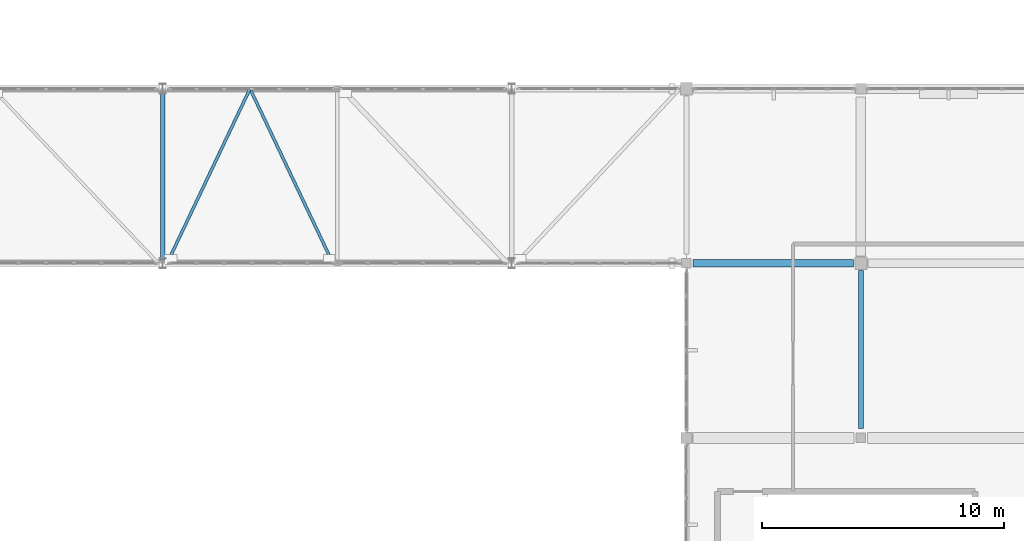
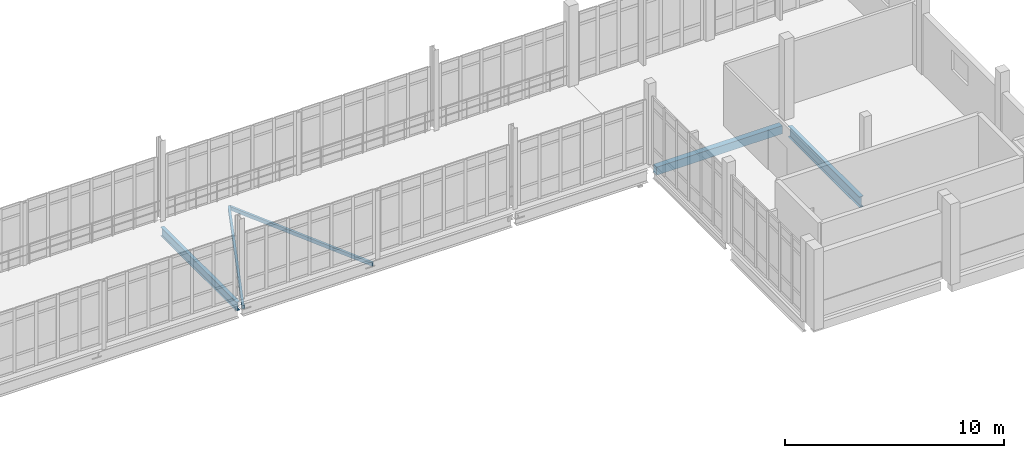
# One storey, part 46 of 116: 3 beams, 2 members.
"""IFC4 building model written with IfcOpenShell, lengths in metres."""

import ifcopenshell
import ifcopenshell.guid

model = None  # the IFC model being written
_history = None  # IfcOwnerHistory: only IFC2X3 demands one
_inside = {}  # id of a spatial element -> (the spatial element, [elements in it])
_under = {}  # id of a project, library or spatial element -> (it, [spatial elements below it])
_declared = {}  # id of a project -> (the project, [libraries it declares])
_typed = {}  # id of a type object -> (the type object, [elements of that type])
_made_of = {}  # id of a material, layer set ... -> (it, [elements and type objects made of it])


def new_model(schema):
    """Start an empty IFC model of exactly this schema.

    Asked for "IFC4X3", IfcOpenShell would pick the latest addendum, in which some entities
    have other attributes; the version numbers below select the first issue.
    IFC2X3 requires an IfcOwnerHistory on every rooted entity: one is made here for all.
    """
    global model, _history
    if schema == "IFC4X3":
        model = ifcopenshell.file(schema_version=(4, 3, 0, 0))
    else:
        model = ifcopenshell.file(schema=schema)
    _inside.clear()
    _under.clear()
    _declared.clear()
    _typed.clear()
    _made_of.clear()
    _history = None
    if model.schema == "IFC2X3":
        org = make("IfcOrganization", Name="unknown")
        user = make(
            "IfcPersonAndOrganization",
            ThePerson=make("IfcPerson", FamilyName="unknown"),
            TheOrganization=org,
        )
        app = make(
            "IfcApplication",
            ApplicationDeveloper=org,
            Version="unknown",
            ApplicationFullName="unknown",
            ApplicationIdentifier="unknown",
        )
        _history = make(
            "IfcOwnerHistory",
            OwningUser=user,
            OwningApplication=app,
            ChangeAction="ADDED",
            CreationDate=0,
        )
    return model


def make(cls, **values):
    """One entity of the class cls with the attributes given. An attribute that is None is left unset."""
    return model.create_entity(
        cls, **{name: value for name, value in values.items() if value is not None}
    )


def rooted(cls, **values):
    """An entity with a GlobalId (a new one), such as an element, a storey or a relation."""
    return make(cls, GlobalId=ifcopenshell.guid.new(), OwnerHistory=_history, **values)


def si_unit(unit_type, name, prefix=None):
    """IfcSIUnit, for example si_unit("LENGTHUNIT", "METRE", prefix="MILLI")."""
    return make("IfcSIUnit", UnitType=unit_type, Prefix=prefix, Name=name)


def assignment(units):
    """IfcUnitAssignment: the units of a project."""
    return None if units is None else make("IfcUnitAssignment", Units=units)


def point(xyz):
    """IfcCartesianPoint."""
    return None if xyz is None else make("IfcCartesianPoint", Coordinates=xyz)


def direction(xyz):
    """IfcDirection."""
    return None if xyz is None else make("IfcDirection", DirectionRatios=xyz)


def frame(location, z_axis=None, x_axis=None):
    """IfcAxis2Placement3D, a coordinate frame: its origin and axes. An axis left out is left unset."""
    return make(
        "IfcAxis2Placement3D",
        Location=point(location),
        Axis=direction(z_axis),
        RefDirection=direction(x_axis),
    )


def frame_2d(location, x_axis=None):
    """IfcAxis2Placement2D, a coordinate frame in the plane: its origin and x axis."""
    return make(
        "IfcAxis2Placement2D", Location=point(location), RefDirection=direction(x_axis)
    )


def origin():
    """The frame at (0, 0, 0) with its axes left unset."""
    return frame((0.0, 0.0, 0.0))


def origin_2d():
    """The frame at (0, 0) in the plane with its x axis left unset."""
    return frame_2d((0.0, 0.0))


def place(relative_to, where):
    """IfcLocalPlacement: puts the frame where relative to a parent placement (None: the world)."""
    return make(
        "IfcLocalPlacement", PlacementRelTo=relative_to, RelativePlacement=where
    )


def context(
    kind, dimensions, precision=None, world=None, true_north=None, identifier=None
):
    """IfcGeometricRepresentationContext, for example the 3D "Model" context."""
    return make(
        "IfcGeometricRepresentationContext",
        ContextIdentifier=identifier,
        ContextType=kind,
        CoordinateSpaceDimension=dimensions,
        Precision=precision,
        WorldCoordinateSystem=world,
        TrueNorth=true_north,
    )


def subcontext(parent, identifier, kind, view, scale=None):
    """IfcGeometricRepresentationSubContext, for example "Body" below "Model"."""
    return make(
        "IfcGeometricRepresentationSubContext",
        ContextIdentifier=identifier,
        ContextType=kind,
        ParentContext=parent,
        TargetScale=scale,
        TargetView=view,
    )


def project(units=None, contexts=None):
    """IfcProject with its units and contexts."""
    return rooted(
        "IfcProject",
        Name="project",
        RepresentationContexts=contexts,
        UnitsInContext=assignment(units),
    )


def spatial(cls, under=None, at=None, **own):
    """A site, building, storey or space (cls), placed at a placement, below another one or the project."""
    s = rooted(cls, ObjectPlacement=at, **own)
    if under is not None:
        _under.setdefault(under.id(), (under, []))[1].append(s)
    return s


def profile(cls, at=None, kind="AREA", **sizes):
    """A parametric profile (cls). Its sizes go by their IFC names, for example OverallWidth=200.0."""
    return make(cls, ProfileType=kind, Position=at, **sizes)


def rectangle(**sizes):
    """IfcRectangleProfileDef."""
    return profile("IfcRectangleProfileDef", **sizes)


def hollow_rectangle(**sizes):
    """IfcRectangleHollowProfileDef."""
    return profile("IfcRectangleHollowProfileDef", **sizes)


def i_section(**sizes):
    """IfcIShapeProfileDef."""
    return profile("IfcIShapeProfileDef", **sizes)


def extrude(swept, where, along, depth):
    """IfcExtrudedAreaSolid: the profile swept, set in the frame where, extruded along a direction by depth."""
    return make(
        "IfcExtrudedAreaSolid",
        SweptArea=swept,
        Position=where,
        ExtrudedDirection=direction(along),
        Depth=depth,
    )


def shape(context_of_items, identifier, shape_type, items):
    """IfcShapeRepresentation: the items that make up one representation, for example the "Body"."""
    return make(
        "IfcShapeRepresentation",
        ContextOfItems=context_of_items,
        RepresentationIdentifier=identifier,
        RepresentationType=shape_type,
        Items=items,
    )


def material(Name=None, Category=None):
    """IfcMaterial."""
    return make("IfcMaterial", Name=Name, Category=Category)


def material_profile(
    of_material, cross_section, Name=None, Category=None, Priority=None
):
    """IfcMaterialProfile: a cross section and its material."""
    return make(
        "IfcMaterialProfile",
        Name=Name,
        Material=of_material,
        Profile=cross_section,
        Priority=Priority,
        Category=Category,
    )


def profile_set(profiles, Name=None, composite=None):
    """IfcMaterialProfileSet."""
    return make(
        "IfcMaterialProfileSet",
        Name=Name,
        MaterialProfiles=profiles,
        CompositeProfile=composite,
    )


def made_of(thing, what):
    """Note that an element or type object is made of a material, layer set ...; save() writes the relation."""
    if what is not None:
        _made_of.setdefault(what.id(), (what, []))[1].append(thing)
    return thing


def type_object(cls, material=None, **own):
    """A type object (cls), such as IfcWallType, which elements share."""
    return made_of(rooted(cls, **own), material)


def element(
    cls,
    number,
    at=None,
    inside=None,
    cuts=None,
    type_object=None,
    material=None,
    context=None,
    identifier="Body",
    shape_type=None,
    held_by="IfcProductDefinitionShape",
    body=None,
    shapes=None,
    **own,
):
    """One element of the class cls, such as IfcWall. Its Tag is "e" and its number.

    at: its placement. inside: the storey or other place that contains it. cuts: it is an
    opening in that element (IfcRelVoidsElement). A single representation is given by context,
    identifier, shape_type and body (its items); several are given by shapes. held_by: the class
    of the entity that holds the representations. save() writes the other relations.
    """
    e = rooted(cls, Tag="e%d" % number, ObjectPlacement=at, **own)
    if body is not None:
        shapes = [shape(context, identifier, shape_type, body)]
    if shapes is not None:
        e.Representation = make(held_by, Representations=shapes)
    if inside is not None:
        _inside.setdefault(inside.id(), (inside, []))[1].append(e)
    if cuts is not None:
        rooted(
            "IfcRelVoidsElement", RelatingBuildingElement=cuts, RelatedOpeningElement=e
        )
    if type_object is not None:
        _typed.setdefault(type_object.id(), (type_object, []))[1].append(e)
    return made_of(e, material)


def aggregate(whole, parts):
    """IfcRelAggregates: a whole, such as a stair, and the parts it consists of."""
    return rooted("IfcRelAggregates", RelatingObject=whole, RelatedObjects=parts)


def save(model, path):
    """Write the relations noted so far, then the file.

    IfcRelAggregates (storeys below a building ...), IfcRelContainedInSpatialStructure (elements
    in a storey), IfcRelDefinesByType, IfcRelAssociatesMaterial and IfcRelDeclares: one each for
    every whole, place, type object, material and project.
    """
    for whole, parts in _under.values():
        aggregate(whole, parts)
    for where, things in _inside.values():
        rooted(
            "IfcRelContainedInSpatialStructure",
            RelatedElements=things,
            RelatingStructure=where,
        )
    for kind, things in _typed.values():
        rooted("IfcRelDefinesByType", RelatedObjects=things, RelatingType=kind)
    for what, things in _made_of.values():
        rooted("IfcRelAssociatesMaterial", RelatedObjects=things, RelatingMaterial=what)
    for by, libraries in _declared.values():
        rooted("IfcRelDeclares", RelatingContext=by, RelatedDefinitions=libraries)
    model.write(path)


model = new_model("IFC4")

# Units and contexts
model_context = context("Model", 3, precision=1e-05, world=origin(), true_north=direction((0.0, 1.0)))
body_context = subcontext(model_context, "Body", "Model", "MODEL_VIEW")
ifc_project = project(units=[si_unit("LENGTHUNIT", "METRE"), si_unit("AREAUNIT", "SQUARE_METRE"), si_unit("VOLUMEUNIT", "CUBIC_METRE"), si_unit("PLANEANGLEUNIT", "RADIAN"), si_unit("MASSUNIT", "GRAM", prefix="KILO")], contexts=[model_context])

# Site, building, storey
site_placement = place(None, origin())
site = spatial("IfcSite", under=ifc_project, at=site_placement, CompositionType="ELEMENT")
building_placement = place(site_placement, origin())
building = spatial("IfcBuilding", under=site, at=building_placement, Name="Kalluvel Institute of Natural Sciences", CompositionType="ELEMENT")
storey_placement = place(building_placement, frame((0.0, 0.0, 14.39990234375)))
storey = spatial("IfcBuildingStorey", under=building, at=storey_placement, Name="L03", CompositionType="ELEMENT", Elevation=14.39990234375)

# Beams
ifc_material_1 = material(Name="Steel E350 Grade 350", Category="steel")
ifc_material_profile_1 = material_profile(ifc_material_1, i_section(OverallWidth=0.179931640625, OverallDepth=0.5, WebThickness=0.01025390625, FlangeThickness=0.01708984375, FilletRadius=0.01708984375, at=origin_2d()), Name="ISMB 500")
ifc_profile_set_1 = profile_set([ifc_material_profile_1], Name="Steel E350 Grade 350")
beam_type_1 = type_object("IfcBeamType", Name="BM-ISMB500", PredefinedType="BEAM", material=ifc_profile_set_1)
beam_1_placement = place(storey_placement, frame((78.800048828125, 28.5400390625, -0.56982421875), z_axis=(0.0, 1.0, 0.0), x_axis=(-1.0, 0.0, 0.0)))
element("IfcBeam", 1, at=beam_1_placement, inside=storey, type_object=beam_type_1, Name="L03 link bridge cross girder 68", PredefinedType="BEAM", context=body_context, shape_type="SweptSolid", body=[
    extrude(i_section(OverallWidth=0.179931640625, OverallDepth=0.5, WebThickness=0.01025390625, FlangeThickness=0.01708984375, FilletRadius=0.01708984375, at=origin_2d()), origin(), (0.0, 0.0, 1.0), 6.919921875),
])
ifc_material_profile_2 = material_profile(ifc_material_1, i_section(OverallWidth=0.2099609375, OverallDepth=0.60009765625, WebThickness=0.011962890625, FlangeThickness=0.020751953125, FilletRadius=0.02001953125, at=origin_2d()), Name="ISMB 600")
ifc_profile_set_2 = profile_set([ifc_material_profile_2], Name="Steel E350 Grade 350")
beam_type_2 = type_object("IfcBeamType", Name="BM-ISMB600", PredefinedType="BEAM", material=ifc_profile_set_2)
beam_2_placement = place(storey_placement, frame((107.60009765625, 21.574951171875, -0.619873046875), z_axis=(0.0, 1.0, 0.0), x_axis=(-1.0, 0.0, 0.0)))
element("IfcBeam", 2, at=beam_2_placement, inside=storey, type_object=beam_type_2, Name="L03 girder GIR-L03-NS-X1076-Y212", PredefinedType="BEAM", context=body_context, shape_type="SweptSolid", body=[
    extrude(i_section(OverallWidth=0.2099609375, OverallDepth=0.60009765625, WebThickness=0.011962890625, FlangeThickness=0.020751953125, FilletRadius=0.02001953125, at=origin_2d()), origin(), (0.0, 0.0, 1.0), 6.525146484375),
])

# Members
ifc_material_profile_3 = material_profile(ifc_material_1, hollow_rectangle(XDim=0.1201171875, YDim=0.199951171875, WallThickness=0.008056640625, at=origin_2d()), Name="RHS 200x120x8")
ifc_profile_set_3 = profile_set([ifc_material_profile_3], Name="Steel E350 Grade 350")
member_type = type_object("IfcMemberType", Name="MB-BR-RHS200", PredefinedType="BRACE", material=ifc_profile_set_3)
for number, where, z_axis, x_axis, name in (
    (3, (78.97998046875, 28.39990234375, -0.599853515625), (0.429039321605, 0.903285813304, 0.0), (-0.903285813304, 0.429039321605, 0.0), "L03 link bridge horizontal plan brace L03-07-1"),
    (4, (82.39990234375, 35.60009765625, -0.599853515625), (0.429064311405, -0.903273943319, 0.0), (0.903273943319, 0.429064311405, 0.0), "L03 link bridge horizontal plan brace L03-07-2"),
):
    element("IfcMember", number, at=place(storey_placement, frame(where, z_axis=z_axis, x_axis=x_axis)), inside=storey, type_object=member_type, Name=name, PredefinedType="BRACE", context=body_context, shape_type="SweptSolid", body=[
        extrude(hollow_rectangle(XDim=0.1201171875, YDim=0.199951171875, WallThickness=0.008056640625, at=origin_2d()), origin(), (0.0, 0.0, 1.0), 7.97119140625),
    ])

# Beam
ifc_material_2 = material(Name="Concrete M40", Category="concrete")
ifc_material_profile_4 = material_profile(ifc_material_2, rectangle(XDim=0.300048828125, YDim=0.449951171875, at=origin_2d()), Name="RCB 300x450")
ifc_profile_set_4 = profile_set([ifc_material_profile_4], Name="Concrete M40")
beam_type_3 = type_object("IfcBeamType", Name="SP-RC300x450", PredefinedType="SPANDREL", material=ifc_profile_set_4)
beam_3_placement = place(storey_placement, frame((100.675048828125, 28.39990234375, -0.544921875), z_axis=(1.0, 0.0, 0.0), x_axis=(0.0, 1.0, 0.0)))
element("IfcBeam", 5, at=beam_3_placement, inside=storey, type_object=beam_type_3, Name="L03 girder GIR-L03-EW-X1004-Y284", PredefinedType="SPANDREL", context=body_context, shape_type="SweptSolid", body=[
    extrude(rectangle(XDim=0.300048828125, YDim=0.449951171875, at=origin_2d()), origin(), (0.0, 0.0, 1.0), 6.625),
])

save(model, "model.ifc")
